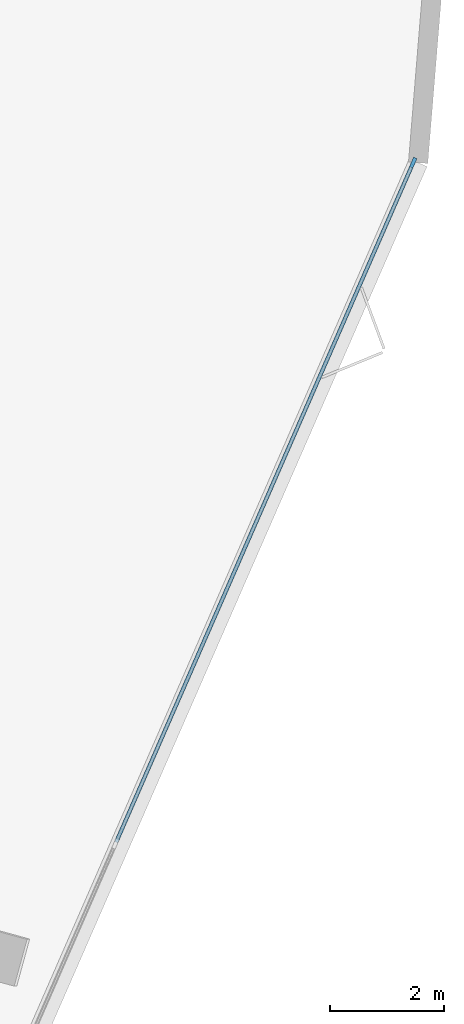
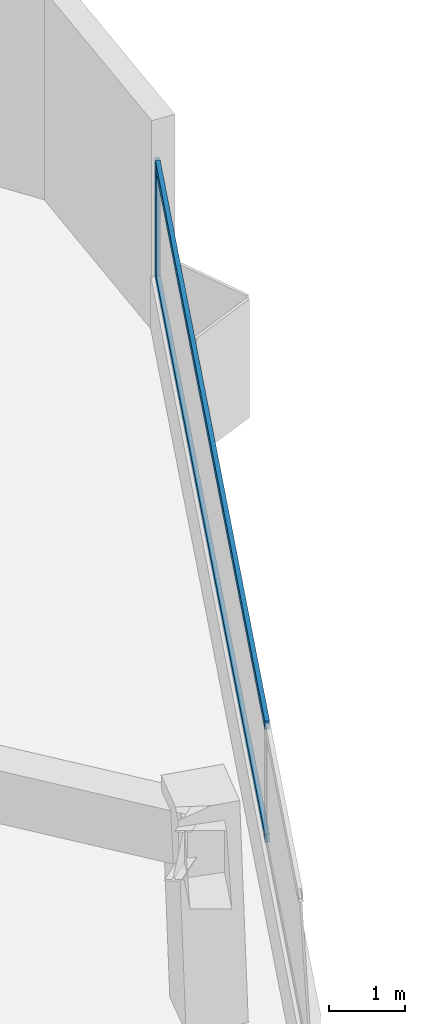
# One storey, part 9 of 17: 3 members, 1 element without a shape of its own.
"""IFC4 building model written with IfcOpenShell, lengths in metres."""

import ifcopenshell
import ifcopenshell.guid

model = None  # the IFC model being written
_history = None  # IfcOwnerHistory: only IFC2X3 demands one
_inside = {}  # id of a spatial element -> (the spatial element, [elements in it])
_under = {}  # id of a project, library or spatial element -> (it, [spatial elements below it])
_declared = {}  # id of a project -> (the project, [libraries it declares])
_typed = {}  # id of a type object -> (the type object, [elements of that type])
_made_of = {}  # id of a material, layer set ... -> (it, [elements and type objects made of it])


def new_model(schema):
    """Start an empty IFC model of exactly this schema.

    Asked for "IFC4X3", IfcOpenShell would pick the latest addendum, in which some entities
    have other attributes; the version numbers below select the first issue.
    IFC2X3 requires an IfcOwnerHistory on every rooted entity: one is made here for all.
    """
    global model, _history
    if schema == "IFC4X3":
        model = ifcopenshell.file(schema_version=(4, 3, 0, 0))
    else:
        model = ifcopenshell.file(schema=schema)
    _inside.clear()
    _under.clear()
    _declared.clear()
    _typed.clear()
    _made_of.clear()
    _history = None
    if model.schema == "IFC2X3":
        org = make("IfcOrganization", Name="unknown")
        user = make(
            "IfcPersonAndOrganization",
            ThePerson=make("IfcPerson", FamilyName="unknown"),
            TheOrganization=org,
        )
        app = make(
            "IfcApplication",
            ApplicationDeveloper=org,
            Version="unknown",
            ApplicationFullName="unknown",
            ApplicationIdentifier="unknown",
        )
        _history = make(
            "IfcOwnerHistory",
            OwningUser=user,
            OwningApplication=app,
            ChangeAction="ADDED",
            CreationDate=0,
        )
    return model


def make(cls, **values):
    """One entity of the class cls with the attributes given. An attribute that is None is left unset."""
    return model.create_entity(
        cls, **{name: value for name, value in values.items() if value is not None}
    )


def rooted(cls, **values):
    """An entity with a GlobalId (a new one), such as an element, a storey or a relation."""
    return make(cls, GlobalId=ifcopenshell.guid.new(), OwnerHistory=_history, **values)


def si_unit(unit_type, name, prefix=None):
    """IfcSIUnit, for example si_unit("LENGTHUNIT", "METRE", prefix="MILLI")."""
    return make("IfcSIUnit", UnitType=unit_type, Prefix=prefix, Name=name)


def assignment(units):
    """IfcUnitAssignment: the units of a project."""
    return None if units is None else make("IfcUnitAssignment", Units=units)


def point(xyz):
    """IfcCartesianPoint."""
    return None if xyz is None else make("IfcCartesianPoint", Coordinates=xyz)


def direction(xyz):
    """IfcDirection."""
    return None if xyz is None else make("IfcDirection", DirectionRatios=xyz)


def frame(location, z_axis=None, x_axis=None):
    """IfcAxis2Placement3D, a coordinate frame: its origin and axes. An axis left out is left unset."""
    return make(
        "IfcAxis2Placement3D",
        Location=point(location),
        Axis=direction(z_axis),
        RefDirection=direction(x_axis),
    )


def frame_2d(location, x_axis=None):
    """IfcAxis2Placement2D, a coordinate frame in the plane: its origin and x axis."""
    return make(
        "IfcAxis2Placement2D", Location=point(location), RefDirection=direction(x_axis)
    )


def origin():
    """The frame at (0, 0, 0) with its axes left unset."""
    return frame((0.0, 0.0, 0.0))


def origin_2d():
    """The frame at (0, 0) in the plane with its x axis left unset."""
    return frame_2d((0.0, 0.0))


def place(relative_to, where):
    """IfcLocalPlacement: puts the frame where relative to a parent placement (None: the world)."""
    return make(
        "IfcLocalPlacement", PlacementRelTo=relative_to, RelativePlacement=where
    )


def context(
    kind, dimensions, precision=None, world=None, true_north=None, identifier=None
):
    """IfcGeometricRepresentationContext, for example the 3D "Model" context."""
    return make(
        "IfcGeometricRepresentationContext",
        ContextIdentifier=identifier,
        ContextType=kind,
        CoordinateSpaceDimension=dimensions,
        Precision=precision,
        WorldCoordinateSystem=world,
        TrueNorth=true_north,
    )


def subcontext(parent, identifier, kind, view, scale=None):
    """IfcGeometricRepresentationSubContext, for example "Body" below "Model"."""
    return make(
        "IfcGeometricRepresentationSubContext",
        ContextIdentifier=identifier,
        ContextType=kind,
        ParentContext=parent,
        TargetScale=scale,
        TargetView=view,
    )


def project(units=None, contexts=None):
    """IfcProject with its units and contexts."""
    return rooted(
        "IfcProject",
        Name="project",
        RepresentationContexts=contexts,
        UnitsInContext=assignment(units),
    )


def spatial(cls, under=None, at=None, **own):
    """A site, building, storey or space (cls), placed at a placement, below another one or the project."""
    s = rooted(cls, ObjectPlacement=at, **own)
    if under is not None:
        _under.setdefault(under.id(), (under, []))[1].append(s)
    return s


def profile(cls, at=None, kind="AREA", **sizes):
    """A parametric profile (cls). Its sizes go by their IFC names, for example OverallWidth=200.0."""
    return make(cls, ProfileType=kind, Position=at, **sizes)


def rectangle(**sizes):
    """IfcRectangleProfileDef."""
    return profile("IfcRectangleProfileDef", **sizes)


def extrude(swept, where, along, depth):
    """IfcExtrudedAreaSolid: the profile swept, set in the frame where, extruded along a direction by depth."""
    return make(
        "IfcExtrudedAreaSolid",
        SweptArea=swept,
        Position=where,
        ExtrudedDirection=direction(along),
        Depth=depth,
    )


def shape(context_of_items, identifier, shape_type, items):
    """IfcShapeRepresentation: the items that make up one representation, for example the "Body"."""
    return make(
        "IfcShapeRepresentation",
        ContextOfItems=context_of_items,
        RepresentationIdentifier=identifier,
        RepresentationType=shape_type,
        Items=items,
    )


def material(Name=None, Category=None):
    """IfcMaterial."""
    return make("IfcMaterial", Name=Name, Category=Category)


def layer(
    of_material, thickness, ventilated=None, Name=None, Category=None, Priority=None
):
    """IfcMaterialLayer: one layer of a wall or slab, of a material (None: an air gap)."""
    return make(
        "IfcMaterialLayer",
        Material=of_material,
        LayerThickness=thickness,
        IsVentilated=ventilated,
        Name=Name,
        Category=Category,
        Priority=Priority,
    )


def layer_set(layers, Name=None):
    """IfcMaterialLayerSet."""
    return make("IfcMaterialLayerSet", MaterialLayers=layers, LayerSetName=Name)


def material_profile(
    of_material, cross_section, Name=None, Category=None, Priority=None
):
    """IfcMaterialProfile: a cross section and its material."""
    return make(
        "IfcMaterialProfile",
        Name=Name,
        Material=of_material,
        Profile=cross_section,
        Priority=Priority,
        Category=Category,
    )


def profile_set(profiles, Name=None, composite=None):
    """IfcMaterialProfileSet."""
    return make(
        "IfcMaterialProfileSet",
        Name=Name,
        MaterialProfiles=profiles,
        CompositeProfile=composite,
    )


def made_of(thing, what):
    """Note that an element or type object is made of a material, layer set ...; save() writes the relation."""
    if what is not None:
        _made_of.setdefault(what.id(), (what, []))[1].append(thing)
    return thing


def type_object(cls, material=None, **own):
    """A type object (cls), such as IfcWallType, which elements share."""
    return made_of(rooted(cls, **own), material)


def element(
    cls,
    number,
    at=None,
    inside=None,
    cuts=None,
    type_object=None,
    material=None,
    context=None,
    identifier="Body",
    shape_type=None,
    held_by="IfcProductDefinitionShape",
    body=None,
    shapes=None,
    **own,
):
    """One element of the class cls, such as IfcWall. Its Tag is "e" and its number.

    at: its placement. inside: the storey or other place that contains it. cuts: it is an
    opening in that element (IfcRelVoidsElement). A single representation is given by context,
    identifier, shape_type and body (its items); several are given by shapes. held_by: the class
    of the entity that holds the representations. save() writes the other relations.
    """
    e = rooted(cls, Tag="e%d" % number, ObjectPlacement=at, **own)
    if body is not None:
        shapes = [shape(context, identifier, shape_type, body)]
    if shapes is not None:
        e.Representation = make(held_by, Representations=shapes)
    if inside is not None:
        _inside.setdefault(inside.id(), (inside, []))[1].append(e)
    if cuts is not None:
        rooted(
            "IfcRelVoidsElement", RelatingBuildingElement=cuts, RelatedOpeningElement=e
        )
    if type_object is not None:
        _typed.setdefault(type_object.id(), (type_object, []))[1].append(e)
    return made_of(e, material)


def aggregate(whole, parts):
    """IfcRelAggregates: a whole, such as a stair, and the parts it consists of."""
    return rooted("IfcRelAggregates", RelatingObject=whole, RelatedObjects=parts)


def save(model, path):
    """Write the relations noted so far, then the file.

    IfcRelAggregates (storeys below a building ...), IfcRelContainedInSpatialStructure (elements
    in a storey), IfcRelDefinesByType, IfcRelAssociatesMaterial and IfcRelDeclares: one each for
    every whole, place, type object, material and project.
    """
    for whole, parts in _under.values():
        aggregate(whole, parts)
    for where, things in _inside.values():
        rooted(
            "IfcRelContainedInSpatialStructure",
            RelatedElements=things,
            RelatingStructure=where,
        )
    for kind, things in _typed.values():
        rooted("IfcRelDefinesByType", RelatedObjects=things, RelatingType=kind)
    for what, things in _made_of.values():
        rooted("IfcRelAssociatesMaterial", RelatedObjects=things, RelatingMaterial=what)
    for by, libraries in _declared.values():
        rooted("IfcRelDeclares", RelatingContext=by, RelatedDefinitions=libraries)
    model.write(path)


model = new_model("IFC4")

# Units and contexts
model_context = context("Model", 3, precision=1e-05, world=origin(), true_north=direction((0.0, 1.0)))
body_context = subcontext(model_context, "Body", "Model", "MODEL_VIEW")
ifc_project = project(units=[si_unit("LENGTHUNIT", "METRE"), si_unit("AREAUNIT", "SQUARE_METRE"), si_unit("VOLUMEUNIT", "CUBIC_METRE"), si_unit("PLANEANGLEUNIT", "RADIAN"), si_unit("MASSUNIT", "GRAM", prefix="KILO")], contexts=[model_context])

# Site, building, storey
site_placement = place(None, origin())
site = spatial("IfcSite", under=ifc_project, at=site_placement, CompositionType="ELEMENT")
building_placement = place(site_placement, origin())
building = spatial("IfcBuilding", under=site, at=building_placement, Name="Talyreon Biosciences Tower", CompositionType="ELEMENT")
storey_placement = place(building_placement, frame((0.0, 0.0, 93.25)))
storey = spatial("IfcBuildingStorey", under=building, at=storey_placement, Name="L24", CompositionType="ELEMENT", Elevation=93.25)

# Curtain wall, members
ifc_material_1 = material(Name="Thermally broken aluminium and low-E glazing", Category="aluminium")
ifc_layer = layer(ifc_material_1, 0.18994140625)
ifc_layer_set = layer_set([ifc_layer], Name="Thermally broken aluminium and low-E glazing")
curtain_wall_type = type_object("IfcCurtainWallType", Name="CurtainWall_Zone2Genomics", PredefinedType="NOTDEFINED", material=ifc_layer_set)
curtain_wall_placement = place(storey_placement, origin())
curtain_wall = element("IfcCurtainWall", 1, at=curtain_wall_placement, inside=storey, type_object=curtain_wall_type, Name="L24 Unitised Curtain Wall FCW-L24-08", PredefinedType="NOTDEFINED")
ifc_material_2 = material(Name="Anodised thermally broken aluminium", Category="aluminium")
ifc_material_profile_1 = material_profile(ifc_material_2, rectangle(XDim=0.06494140625, YDim=0.179931640625, at=origin_2d()), Name="ALUM MULLION 65x180")
ifc_profile_set_1 = profile_set([ifc_material_profile_1], Name="Anodised thermally broken aluminium")
member_type_1 = type_object("IfcMemberType", Name="CWMullion_65x180", PredefinedType="MULLION", material=ifc_profile_set_1)
member_1_placement = place(storey_placement, frame((96.8974609375, 83.07275390625, 0.81005859375), z_axis=(0.0, 0.0, 1.0), x_axis=(0.916278218967, -0.400542414041, 0.0)))
member_1 = element("IfcMember", 2, at=member_1_placement, type_object=member_type_1, Name="CW3 mullion 1", PredefinedType="MULLION", context=body_context, shape_type="SweptSolid", body=[
    extrude(rectangle(XDim=0.06494140625, YDim=0.179931640625, at=origin_2d()), origin(), (0.0, 0.0, 1.0), 1.889892578125),
])
ifc_material_profile_2 = material_profile(ifc_material_2, rectangle(XDim=0.06494140625, YDim=0.139892578125, at=origin_2d()), Name="ALUM TRANSOM 65x140")
ifc_profile_set_2 = profile_set([ifc_material_profile_2], Name="Anodised thermally broken aluminium")
member_type_2 = type_object("IfcMemberType", Name="CWTransom_65x140", PredefinedType="USERDEFINED", material=ifc_profile_set_2)
member_2_placement = place(storey_placement, frame((96.884521484375, 83.04296875, 0.842529296875), z_axis=(-0.400543831876, -0.916277599173, 0.0), x_axis=(0.916277599173, -0.400543831876, 0.0)))
member_2 = element("IfcMember", 3, at=member_2_placement, type_object=member_type_2, Name="CW3 transom 1.1", ObjectType="TRANSOM", PredefinedType="USERDEFINED", context=body_context, shape_type="SweptSolid", body=[
    extrude(rectangle(XDim=0.06494140625, YDim=0.139892578125, at=origin_2d()), origin(), (0.0, 0.0, 1.0), 12.994384765625),
])
member_3_placement = place(storey_placement, frame((96.884521484375, 83.04296875, 2.66748046875), z_axis=(-0.400543831876, -0.916277599173, 0.0), x_axis=(0.916277599173, -0.400543831876, 0.0)))
member_3 = element("IfcMember", 4, at=member_3_placement, type_object=member_type_2, Name="CW3 transom 1.2", ObjectType="TRANSOM", PredefinedType="USERDEFINED", context=body_context, shape_type="SweptSolid", body=[
    extrude(rectangle(XDim=0.06494140625, YDim=0.139892578125, at=origin_2d()), origin(), (0.0, 0.0, 1.0), 12.994384765625),
])
aggregate(curtain_wall, [member_1, member_2, member_3])

save(model, "model.ifc")
